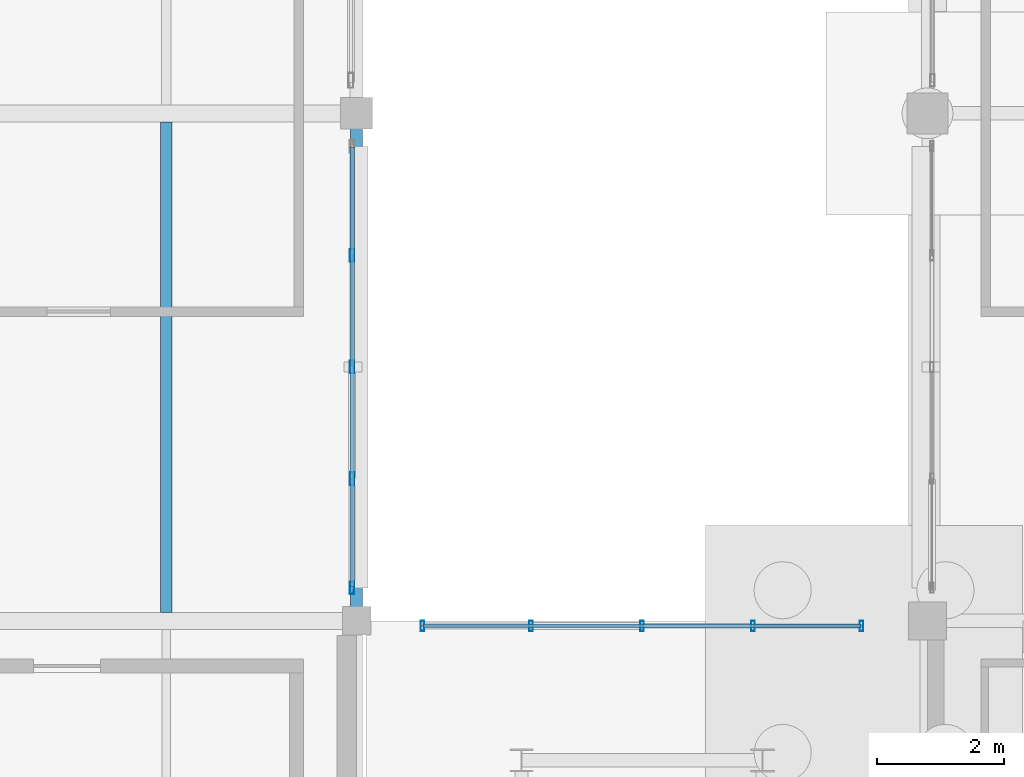
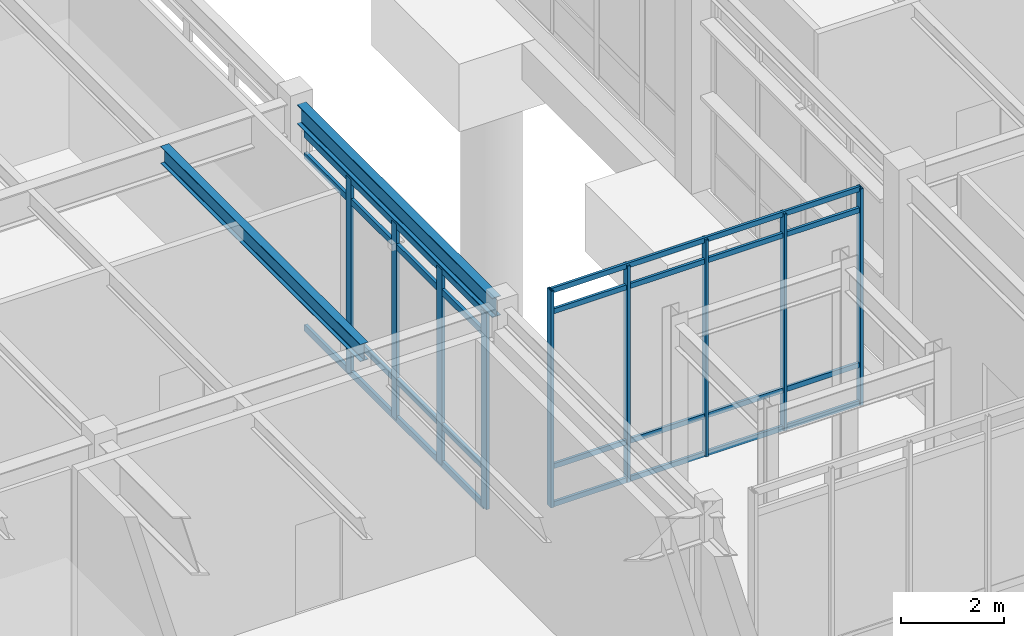
# One storey, part 99 of 203: 17 members, 2 beams, 2 elements without a shape of their own.
"""IFC4 building model written with IfcOpenShell, lengths in metres."""

from ifc_helpers import new_model, si_unit, direction, frame, origin, origin_2d, place, context, subcontext, project, spatial, hollow_rectangle, i_section, extrude, material, material_profile, profile_set, type_object, element, aggregate, save


model = new_model("IFC4")

# Units and contexts
model_context = context("Model", 3, precision=1e-05, world=origin(), true_north=direction((0.0, 1.0)))
body_context = subcontext(model_context, "Body", "Model", "MODEL_VIEW")
ifc_project = project(units=[si_unit("LENGTHUNIT", "METRE"), si_unit("AREAUNIT", "SQUARE_METRE"), si_unit("VOLUMEUNIT", "CUBIC_METRE"), si_unit("PLANEANGLEUNIT", "RADIAN"), si_unit("MASSUNIT", "GRAM", prefix="KILO"), si_unit("THERMODYNAMICTEMPERATUREUNIT", "KELVIN"), si_unit("POWERUNIT", "WATT")], contexts=[model_context])

# Site, building, storey
site_placement = place(None, origin())
site = spatial("IfcSite", under=ifc_project, at=site_placement, CompositionType="ELEMENT")
building_placement = place(site_placement, origin())
building = spatial("IfcBuilding", under=site, at=building_placement, Name="Tepalcoro Natatorium and Aquatics Centre", CompositionType="ELEMENT")
storey_placement = place(building_placement, origin())
storey = spatial("IfcBuildingStorey", under=building, at=storey_placement, Name="L00", CompositionType="ELEMENT", Elevation=0.0)

# Curtain wall, members
ifc_material_1 = material(Name="Bronze-Anodised Extruded Aluminium Alloy EN AW-6063 T6", Category="aluminium")
curtain_wall_type_1 = type_object("IfcCurtainWallType", Name="CW_LINK_150", PredefinedType="USERDEFINED", material=ifc_material_1)
curtain_wall_1_placement = place(storey_placement, origin())
curtain_wall_1 = element("IfcCurtainWall", 1, at=curtain_wall_1_placement, inside=storey, type_object=curtain_wall_type_1, Name="North Spine Seismic Link Glazed Wall N L00", ObjectType="UNITISED STOREFRONT", PredefinedType="USERDEFINED")
ifc_material_profile_1 = material_profile(ifc_material_1, hollow_rectangle(XDim=0.06005859375, YDim=0.159912109375, WallThickness=0.00390625, at=origin_2d()), Name="AL60X160X4")
ifc_profile_set_1 = profile_set([ifc_material_profile_1], Name="Bronze-Anodised Extruded Aluminium Alloy EN AW-6063 T6")
member_type_1 = type_object("IfcMemberType", Name="CW_MUL_60x160", PredefinedType="MULLION", material=ifc_profile_set_1)
member_1_placement = place(storey_placement, frame((90.0400390625, 101.919921875, 0.02001953125), z_axis=(0.0, 0.0, 1.0), x_axis=(1.0, 0.0, 0.0)))
member_1 = element("IfcMember", 2, at=member_1_placement, type_object=member_type_1, Name="CW_LINK_150 Curtain Wall Mullion", PredefinedType="MULLION", context=body_context, shape_type="SweptSolid", body=[
    extrude(hollow_rectangle(XDim=0.06005859375, YDim=0.159912109375, WallThickness=0.00390625, at=origin_2d()), origin(), (0.0, 0.0, 1.0), 5.119873046875),
])
member_2_placement = place(storey_placement, frame((91.75, 101.919921875, 0.02001953125), z_axis=(0.0, 0.0, 1.0), x_axis=(1.0, 0.0, 0.0)))
member_2 = element("IfcMember", 3, at=member_2_placement, type_object=member_type_1, Name="CW_LINK_150 Curtain Wall Mullion", PredefinedType="MULLION", context=body_context, shape_type="SweptSolid", body=[
    extrude(hollow_rectangle(XDim=0.06005859375, YDim=0.159912109375, WallThickness=0.00390625, at=origin_2d()), origin(), (0.0, 0.0, 1.0), 5.119873046875),
])
member_3_placement = place(storey_placement, frame((93.5, 101.919921875, 0.02001953125), z_axis=(0.0, 0.0, 1.0), x_axis=(1.0, 0.0, 0.0)))
member_3 = element("IfcMember", 4, at=member_3_placement, type_object=member_type_1, Name="CW_LINK_150 Curtain Wall Mullion", PredefinedType="MULLION", context=body_context, shape_type="SweptSolid", body=[
    extrude(hollow_rectangle(XDim=0.06005859375, YDim=0.159912109375, WallThickness=0.00390625, at=origin_2d()), origin(), (0.0, 0.0, 1.0), 5.119873046875),
])
member_4_placement = place(storey_placement, frame((95.25, 101.919921875, 0.02001953125), z_axis=(0.0, 0.0, 1.0), x_axis=(1.0, 0.0, 0.0)))
member_4 = element("IfcMember", 5, at=member_4_placement, type_object=member_type_1, Name="CW_LINK_150 Curtain Wall Mullion", PredefinedType="MULLION", context=body_context, shape_type="SweptSolid", body=[
    extrude(hollow_rectangle(XDim=0.06005859375, YDim=0.159912109375, WallThickness=0.00390625, at=origin_2d()), origin(), (0.0, 0.0, 1.0), 5.119873046875),
])
member_5_placement = place(storey_placement, frame((96.9599609375, 101.919921875, 0.02001953125), z_axis=(0.0, 0.0, 1.0), x_axis=(1.0, 0.0, 0.0)))
member_5 = element("IfcMember", 6, at=member_5_placement, type_object=member_type_1, Name="CW_LINK_150 Curtain Wall Mullion", PredefinedType="MULLION", context=body_context, shape_type="SweptSolid", body=[
    extrude(hollow_rectangle(XDim=0.06005859375, YDim=0.159912109375, WallThickness=0.00390625, at=origin_2d()), origin(), (0.0, 0.0, 1.0), 5.119873046875),
])

curtain_wall_type_2 = type_object("IfcCurtainWallType", Name="CW_LEAN_T2_EW", PredefinedType="USERDEFINED", material=ifc_material_1)
curtain_wall_2_placement = place(storey_placement, origin())
curtain_wall_2 = element("IfcCurtainWall", 7, at=curtain_wall_2_placement, inside=storey, type_object=curtain_wall_type_2, Name="V4 L00 E Unitised Curtain Wall Bay 3", ObjectType="FACETED SOLAR GLAZING", PredefinedType="USERDEFINED")
ifc_material_profile_2 = material_profile(ifc_material_1, hollow_rectangle(XDim=0.070068359375, YDim=0.199951171875, WallThickness=0.0048828125, at=origin_2d()), Name="AL70X200X5")
ifc_profile_set_2 = profile_set([ifc_material_profile_2], Name="Bronze-Anodised Extruded Aluminium Alloy EN AW-6063 T6")
member_type_2 = type_object("IfcMemberType", Name="CW_MUL_70x200", PredefinedType="MULLION", material=ifc_profile_set_2)
member_6_placement = place(storey_placement, frame((88.9287109375, 102.52001953125, 0.02001953125), z_axis=(0.0, 0.0, 1.0), x_axis=(1.0, 0.0, 0.0)))
member_6 = element("IfcMember", 8, at=member_6_placement, type_object=member_type_2, Name="CW_LEAN_T2_EW Curtain Wall Mullion", PredefinedType="MULLION", context=body_context, shape_type="SweptSolid", body=[
    extrude(hollow_rectangle(XDim=0.070068359375, YDim=0.199951171875, WallThickness=0.0048828125, at=origin_2d()), origin(), (0.0, 0.0, 1.0), 4.6298828125),
])
member_7_placement = place(storey_placement, frame((88.9287109375, 104.239990234375, 0.02001953125), z_axis=(0.0, 0.0, 1.0), x_axis=(1.0, 0.0, 0.0)))
member_7 = element("IfcMember", 9, at=member_7_placement, type_object=member_type_2, Name="CW_LEAN_T2_EW Curtain Wall Mullion", PredefinedType="MULLION", context=body_context, shape_type="SweptSolid", body=[
    extrude(hollow_rectangle(XDim=0.070068359375, YDim=0.199951171875, WallThickness=0.0048828125, at=origin_2d()), origin(), (0.0, 0.0, 1.0), 4.6298828125),
])
member_8_placement = place(storey_placement, frame((88.9287109375, 106.0, 0.02001953125), z_axis=(0.0, 0.0, 1.0), x_axis=(1.0, 0.0, 0.0)))
member_8 = element("IfcMember", 10, at=member_8_placement, type_object=member_type_2, Name="CW_LEAN_T2_EW Curtain Wall Mullion", PredefinedType="MULLION", context=body_context, shape_type="SweptSolid", body=[
    extrude(hollow_rectangle(XDim=0.070068359375, YDim=0.199951171875, WallThickness=0.0048828125, at=origin_2d()), origin(), (0.0, 0.0, 1.0), 4.6298828125),
])
member_9_placement = place(storey_placement, frame((88.9287109375, 107.760009765625, 0.02001953125), z_axis=(0.0, 0.0, 1.0), x_axis=(1.0, 0.0, 0.0)))
member_9 = element("IfcMember", 11, at=member_9_placement, type_object=member_type_2, Name="CW_LEAN_T2_EW Curtain Wall Mullion", PredefinedType="MULLION", context=body_context, shape_type="SweptSolid", body=[
    extrude(hollow_rectangle(XDim=0.070068359375, YDim=0.199951171875, WallThickness=0.0048828125, at=origin_2d()), origin(), (0.0, 0.0, 1.0), 4.6298828125),
])

# Member
ifc_material_profile_3 = material_profile(ifc_material_1, hollow_rectangle(XDim=0.06005859375, YDim=0.1201171875, WallThickness=0.00390625, at=origin_2d()), Name="AL60X120X4")
ifc_profile_set_3 = profile_set([ifc_material_profile_3], Name="Bronze-Anodised Extruded Aluminium Alloy EN AW-6063 T6")
member_type_3 = type_object("IfcMemberType", Name="CW_TRN_60x120", PredefinedType="USERDEFINED", material=ifc_profile_set_3)
member_10_placement = place(storey_placement, frame((90.050048828125, 101.919921875, 0.050048828125), z_axis=(1.0, 0.0, 0.0), x_axis=(0.0, 1.0, 0.0)))
member_10 = element("IfcMember", 12, at=member_10_placement, type_object=member_type_3, Name="CW_LINK_150 Curtain Wall Transom", ObjectType="TRANSOM", PredefinedType="USERDEFINED", context=body_context, shape_type="SweptSolid", body=[
    extrude(hollow_rectangle(XDim=0.06005859375, YDim=0.1201171875, WallThickness=0.00390625, at=origin_2d()), origin(), (0.0, 0.0, 1.0), 6.89990234375),
])

member_11_placement = place(storey_placement, frame((90.050048828125, 101.919921875, 0.949951171875), z_axis=(1.0, 0.0, 0.0), x_axis=(0.0, 1.0, 0.0)))
member_11 = element("IfcMember", 13, at=member_11_placement, type_object=member_type_3, Name="CW_LINK_150 Curtain Wall Transom", ObjectType="TRANSOM", PredefinedType="USERDEFINED", context=body_context, shape_type="SweptSolid", body=[
    extrude(hollow_rectangle(XDim=0.06005859375, YDim=0.1201171875, WallThickness=0.00390625, at=origin_2d()), origin(), (0.0, 0.0, 1.0), 6.89990234375),
])

member_12_placement = place(storey_placement, frame((90.050048828125, 101.919921875, 4.610107421875), z_axis=(1.0, 0.0, 0.0), x_axis=(0.0, 1.0, 0.0)))
member_12 = element("IfcMember", 14, at=member_12_placement, type_object=member_type_3, Name="CW_LINK_150 Curtain Wall Transom", ObjectType="TRANSOM", PredefinedType="USERDEFINED", context=body_context, shape_type="SweptSolid", body=[
    extrude(hollow_rectangle(XDim=0.06005859375, YDim=0.1201171875, WallThickness=0.00390625, at=origin_2d()), origin(), (0.0, 0.0, 1.0), 6.89990234375),
])

member_13_placement = place(storey_placement, frame((90.050048828125, 101.919921875, 5.110107421875), z_axis=(1.0, 0.0, 0.0), x_axis=(0.0, 1.0, 0.0)))
member_13 = element("IfcMember", 15, at=member_13_placement, type_object=member_type_3, Name="CW_LINK_150 Curtain Wall Transom", ObjectType="TRANSOM", PredefinedType="USERDEFINED", context=body_context, shape_type="SweptSolid", body=[
    extrude(hollow_rectangle(XDim=0.06005859375, YDim=0.1201171875, WallThickness=0.00390625, at=origin_2d()), origin(), (0.0, 0.0, 1.0), 6.89990234375),
])

aggregate(curtain_wall_1, [member_1, member_2, member_3, member_4, member_5, member_10, member_11, member_12, member_13])

ifc_material_profile_4 = material_profile(ifc_material_1, hollow_rectangle(XDim=0.070068359375, YDim=0.14990234375, WallThickness=0.00390625, at=origin_2d()), Name="AL70X150X4")
ifc_profile_set_4 = profile_set([ifc_material_profile_4], Name="Bronze-Anodised Extruded Aluminium Alloy EN AW-6063 T6")
member_type_4 = type_object("IfcMemberType", Name="CW_TRN_70x150", PredefinedType="USERDEFINED", material=ifc_profile_set_4)
member_14_placement = place(storey_placement, frame((88.9287109375, 102.530029296875, 0.050048828125), z_axis=(0.0, 1.0, 0.0), x_axis=(-1.0, 0.0, 0.0)))
member_14 = element("IfcMember", 16, at=member_14_placement, type_object=member_type_4, Name="CW_LEAN_T2_EW Curtain Wall Transom", ObjectType="TRANSOM", PredefinedType="USERDEFINED", context=body_context, shape_type="SweptSolid", body=[
    extrude(hollow_rectangle(XDim=0.070068359375, YDim=0.14990234375, WallThickness=0.00390625, at=origin_2d()), origin(), (0.0, 0.0, 1.0), 6.93994140625),
])

member_15_placement = place(storey_placement, frame((88.9287109375, 102.530029296875, 0.949951171875), z_axis=(0.0, 1.0, 0.0), x_axis=(-1.0, 0.0, 0.0)))
member_15 = element("IfcMember", 17, at=member_15_placement, type_object=member_type_4, Name="CW_LEAN_T2_EW Curtain Wall Transom", ObjectType="TRANSOM", PredefinedType="USERDEFINED", context=body_context, shape_type="SweptSolid", body=[
    extrude(hollow_rectangle(XDim=0.070068359375, YDim=0.14990234375, WallThickness=0.00390625, at=origin_2d()), origin(), (0.0, 0.0, 1.0), 6.93994140625),
])

member_16_placement = place(storey_placement, frame((88.9287109375, 102.530029296875, 4.1201171875), z_axis=(0.0, 1.0, 0.0), x_axis=(-1.0, 0.0, 0.0)))
member_16 = element("IfcMember", 18, at=member_16_placement, type_object=member_type_4, Name="CW_LEAN_T2_EW Curtain Wall Transom", ObjectType="TRANSOM", PredefinedType="USERDEFINED", context=body_context, shape_type="SweptSolid", body=[
    extrude(hollow_rectangle(XDim=0.070068359375, YDim=0.14990234375, WallThickness=0.00390625, at=origin_2d()), origin(), (0.0, 0.0, 1.0), 6.93994140625),
])

member_17_placement = place(storey_placement, frame((88.9287109375, 102.530029296875, 4.6201171875), z_axis=(0.0, 1.0, 0.0), x_axis=(-1.0, 0.0, 0.0)))
member_17 = element("IfcMember", 19, at=member_17_placement, type_object=member_type_4, Name="CW_LEAN_T2_EW Curtain Wall Transom", ObjectType="TRANSOM", PredefinedType="USERDEFINED", context=body_context, shape_type="SweptSolid", body=[
    extrude(hollow_rectangle(XDim=0.070068359375, YDim=0.14990234375, WallThickness=0.00390625, at=origin_2d()), origin(), (0.0, 0.0, 1.0), 6.93994140625),
])

aggregate(curtain_wall_2, [member_6, member_7, member_8, member_9, member_14, member_15, member_16, member_17])

# Beams
ifc_material_2 = material(Name="Steel ASTM A992 Grade 50 (Fy 345 MPa)", Category="steel")
ifc_material_profile_5 = material_profile(ifc_material_2, i_section(OverallWidth=0.178955078125, OverallDepth=0.409912109375, WebThickness=0.009033203125, FlangeThickness=0.013916015625, FilletRadius=0.013916015625, at=origin_2d()), Name="W16X45")
ifc_profile_set_5 = profile_set([ifc_material_profile_5], Name="Steel ASTM A992 Grade 50 (Fy 345 MPa)")
beam_type_1 = type_object("IfcBeamType", Name="JS_W16x45", PredefinedType="JOIST", material=ifc_profile_set_5)
beam_1_placement = place(storey_placement, frame((86.0, 102.133544921875, 4.93994140625), z_axis=(0.0, 1.0, 0.0), x_axis=(-1.0, 0.0, 0.0)))
element("IfcBeam", 20, at=beam_1_placement, inside=storey, type_object=beam_type_1, Name="V4 L00 Floor Joist", PredefinedType="JOIST", context=body_context, shape_type="SweptSolid", body=[
    extrude(i_section(OverallWidth=0.178955078125, OverallDepth=0.409912109375, WebThickness=0.009033203125, FlangeThickness=0.013916015625, FilletRadius=0.013916015625, at=origin_2d()), origin(), (0.0, 0.0, 1.0), 7.73291015625),
])
ifc_material_profile_6 = material_profile(ifc_material_2, i_section(OverallWidth=0.19091796875, OverallDepth=0.4599609375, WebThickness=0.010009765625, FlangeThickness=0.01611328125, FilletRadius=0.013916015625, at=origin_2d()), Name="W18X55")
ifc_profile_set_6 = profile_set([ifc_material_profile_6], Name="Steel ASTM A992 Grade 50 (Fy 345 MPa)")
beam_type_2 = type_object("IfcBeamType", Name="SP_W18x55", PredefinedType="SPANDREL", material=ifc_profile_set_6)
beam_2_placement = place(storey_placement, frame((89.0, 102.2099609375, 4.9150390625), z_axis=(0.0, 1.0, 0.0), x_axis=(-1.0, 0.0, 0.0)))
element("IfcBeam", 21, at=beam_2_placement, inside=storey, type_object=beam_type_2, Name="V4 L00 Grid Girder Y", PredefinedType="SPANDREL", context=body_context, shape_type="SweptSolid", body=[
    extrude(i_section(OverallWidth=0.19091796875, OverallDepth=0.4599609375, WebThickness=0.010009765625, FlangeThickness=0.01611328125, FilletRadius=0.013916015625, at=origin_2d()), origin(), (0.0, 0.0, 1.0), 7.554931640625),
])

save(model, "model.ifc")
